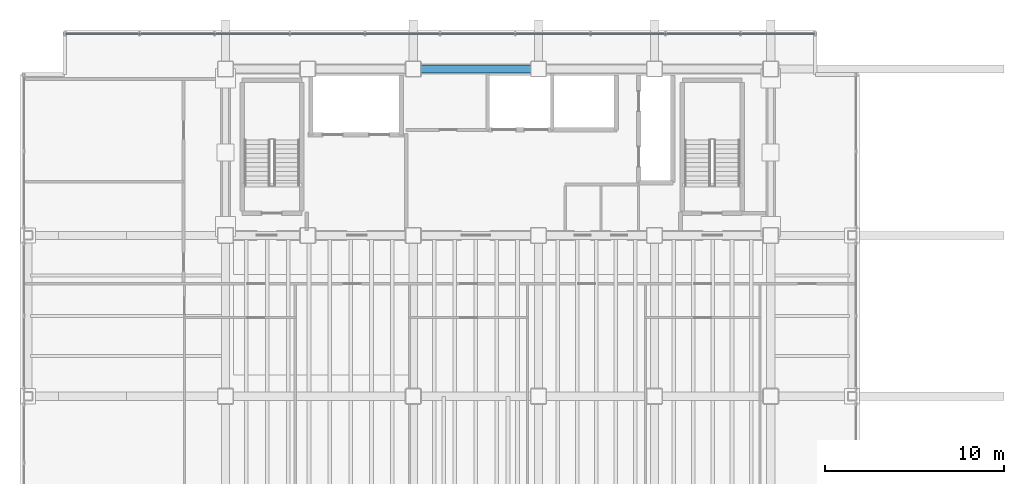
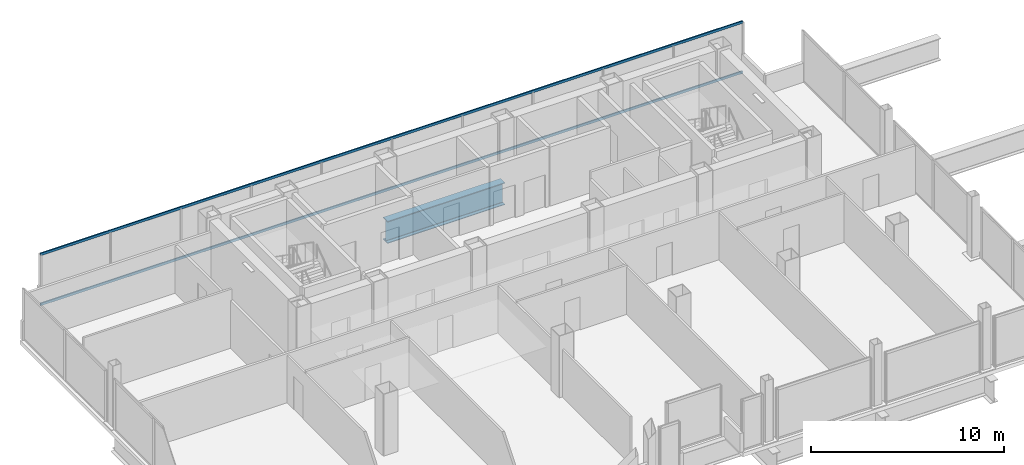
# One storey, part 12 of 24: 2 members, 1 beam, 1 element without a shape of its own.
"""IFC4 building model written with IfcOpenShell, lengths in metres."""

from ifc_helpers import new_model, si_unit, direction, frame, origin, origin_2d, place, context, subcontext, project, spatial, hollow_rectangle, i_section, extrude, material, material_profile, profile_set, type_object, element, aggregate, save


model = new_model("IFC4")

# Units and contexts
model_context = context("Model", 3, precision=1e-05, world=origin(), true_north=direction((0.0, 1.0)))
body_context = subcontext(model_context, "Body", "Model", "MODEL_VIEW")
ifc_project = project(units=[si_unit("LENGTHUNIT", "METRE"), si_unit("AREAUNIT", "SQUARE_METRE"), si_unit("VOLUMEUNIT", "CUBIC_METRE"), si_unit("PLANEANGLEUNIT", "RADIAN"), si_unit("MASSUNIT", "GRAM", prefix="KILO")], contexts=[model_context])

# Site, building, storey
site_placement = place(None, origin())
site = spatial("IfcSite", under=ifc_project, at=site_placement, CompositionType="ELEMENT")
building_placement = place(site_placement, origin())
building = spatial("IfcBuilding", under=site, at=building_placement, Name="Noeulbin Bourse Tower", CompositionType="ELEMENT")
storey_placement = place(building_placement, frame((0.0, 0.0, 114.89990234375)))
storey = spatial("IfcBuildingStorey", under=building, at=storey_placement, Name="L28", CompositionType="ELEMENT", Elevation=114.89990234375)

# Beam
ifc_material_1 = material(Name="Steel S460", Category="steel")
ifc_material_profile_1 = material_profile(ifc_material_1, i_section(OverallWidth=0.449951171875, OverallDepth=1.39990234375, WebThickness=0.02392578125, FlangeThickness=0.0400390625, FilletRadius=0.02392578125, at=origin_2d()), Name="PG-1400x450x24x40", Category="LoadBearing")
ifc_profile_set_1 = profile_set([ifc_material_profile_1], Name="Steel S460")
beam_type = type_object("IfcBeamType", Name="BM-TRF-1400", PredefinedType="USERDEFINED", material=ifc_profile_set_1)
beam_placement = place(storey_placement, frame((24.0, 38.300048828125, -0.93994140625), z_axis=(1.0, 0.0, 0.0), x_axis=(0.0, 1.0, 0.0)))
element("IfcBeam", 1, at=beam_placement, inside=storey, type_object=beam_type, Name="Tower Primary Girder EW L28-3.2", ObjectType="GIRDER", PredefinedType="USERDEFINED", context=body_context, shape_type="SweptSolid", body=[
    extrude(i_section(OverallWidth=0.449951171875, OverallDepth=1.39990234375, WebThickness=0.02392578125, FlangeThickness=0.0400390625, FilletRadius=0.02392578125, at=origin_2d()), origin(), (0.0, 0.0, 1.0), 7.0),
])

# Curtain wall, members
ifc_material_2 = material(Name="Dark Tinted Triple Glazing", Category="glass")
curtain_wall_type = type_object("IfcCurtainWallType", Name="CW-SYS-3", PredefinedType="NOTDEFINED", material=ifc_material_2)
curtain_wall_placement = place(storey_placement, origin())
curtain_wall = element("IfcCurtainWall", 2, at=curtain_wall_placement, inside=storey, type_object=curtain_wall_type, Name="Unitised Curtain Wall CW-L28-N", PredefinedType="NOTDEFINED")
ifc_material_3 = material(Name="Anodised Aluminium 6063-T6", Category="aluminium")
ifc_material_profile_2 = material_profile(ifc_material_3, hollow_rectangle(XDim=0.074951171875, YDim=0.159912109375, WallThickness=0.0048828125, InnerFilletRadius=0.00244140625, OuterFilletRadius=0.0048828125, at=origin_2d()), Name="ALU-TRAN-75x160x5", Category="LoadBearing")
ifc_profile_set_2 = profile_set([ifc_material_profile_2], Name="Anodised Aluminium 6063-T6")
member_type = type_object("IfcMemberType", Name="CW-SYS-3-TRN", PredefinedType="USERDEFINED", material=ifc_profile_set_2)
member_1_placement = place(storey_placement, frame((4.530029296875, 40.280029296875, 0.010009765625), z_axis=(1.0, 0.0, 0.0), x_axis=(0.0, 1.0, 0.0)))
member_1 = element("IfcMember", 3, at=member_1_placement, type_object=member_type, Name="Curtain Wall Transom CW-L28-N-T00", ObjectType="TRANSOM", PredefinedType="USERDEFINED", context=body_context, shape_type="SweptSolid", body=[
    extrude(hollow_rectangle(XDim=0.074951171875, YDim=0.159912109375, WallThickness=0.0048828125, InnerFilletRadius=0.00244140625, OuterFilletRadius=0.0048828125, at=origin_2d()), origin(), (0.0, 0.0, 1.0), 41.93994140625),
])
member_2_placement = place(storey_placement, frame((4.530029296875, 40.280029296875, 3.170166015625), z_axis=(1.0, 0.0, 0.0), x_axis=(0.0, 1.0, 0.0)))
member_2 = element("IfcMember", 4, at=member_2_placement, type_object=member_type, Name="Curtain Wall Transom CW-L28-N-T01", ObjectType="TRANSOM", PredefinedType="USERDEFINED", context=body_context, shape_type="SweptSolid", body=[
    extrude(hollow_rectangle(XDim=0.074951171875, YDim=0.159912109375, WallThickness=0.0048828125, InnerFilletRadius=0.00244140625, OuterFilletRadius=0.0048828125, at=origin_2d()), origin(), (0.0, 0.0, 1.0), 41.93994140625),
])
aggregate(curtain_wall, [member_1, member_2])

save(model, "model.ifc")
